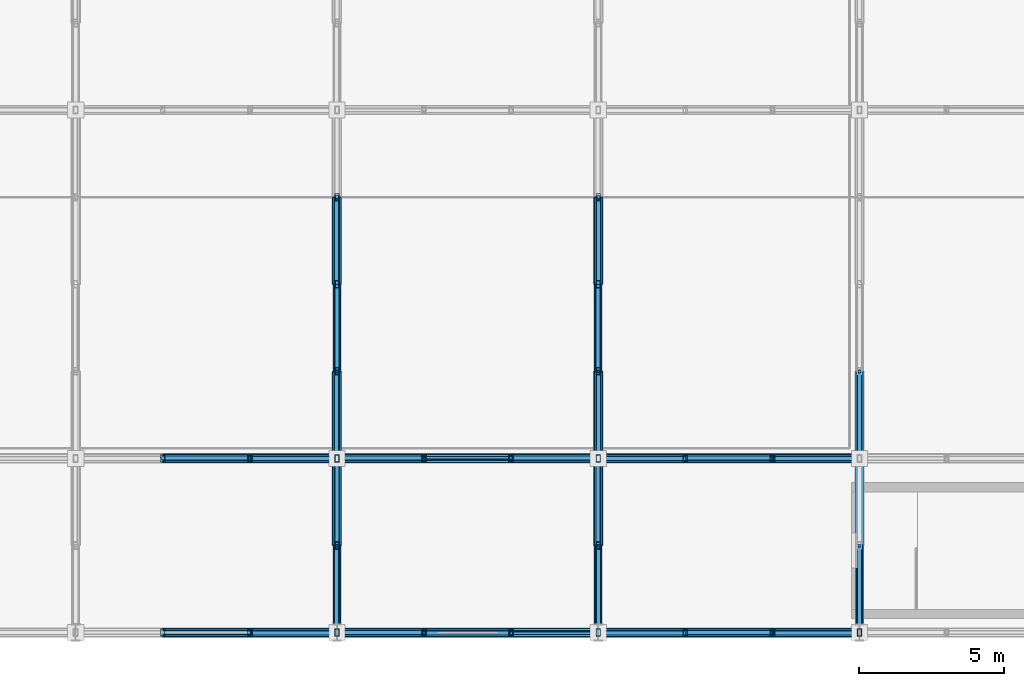
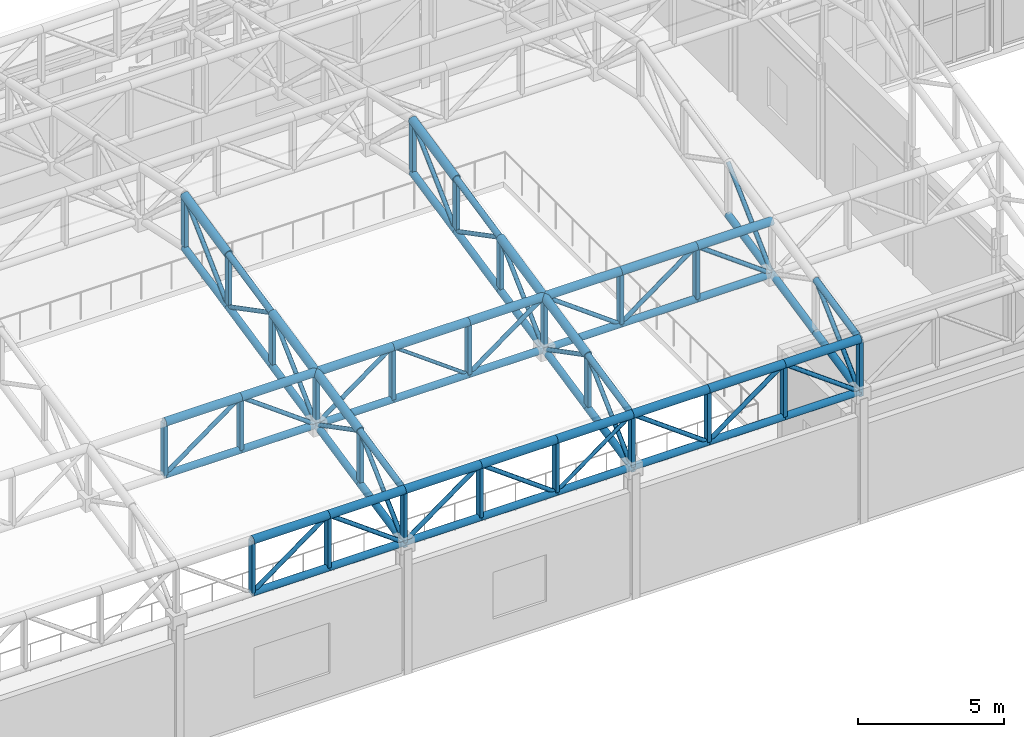
# One storey, part 19 of 112: 109 members.
"""IFC4 building model written with IfcOpenShell, lengths in metres."""

from ifc_helpers import new_model, si_unit, direction, frame, origin, origin_2d, place, context, subcontext, project, spatial, hollow_rectangle, hollow_circle, extrude, material, material_profile, profile_set, type_object, element, save


model = new_model("IFC4")

# Units and contexts
model_context = context("Model", 3, precision=1e-05, world=origin(), true_north=direction((0.0, 1.0)))
body_context = subcontext(model_context, "Body", "Model", "MODEL_VIEW")
ifc_project = project(units=[si_unit("LENGTHUNIT", "METRE"), si_unit("AREAUNIT", "SQUARE_METRE"), si_unit("VOLUMEUNIT", "CUBIC_METRE"), si_unit("PLANEANGLEUNIT", "RADIAN"), si_unit("MASSUNIT", "GRAM", prefix="KILO")], contexts=[model_context])

# Site, building, storey
site_placement = place(None, origin())
site = spatial("IfcSite", under=ifc_project, at=site_placement, CompositionType="ELEMENT")
building_placement = place(site_placement, origin())
building = spatial("IfcBuilding", under=site, at=building_placement, Name="Kaldris Quays Convention Centre", CompositionType="ELEMENT")
storey_placement = place(building_placement, frame((0.0, 0.0, 16.800048828125)))
storey = spatial("IfcBuildingStorey", under=building, at=storey_placement, Name="L03", CompositionType="ELEMENT", Elevation=16.800048828125)

# Members
ifc_material = material(Name="Steel S355J2H", Category="steel")
ifc_material_profile_1 = material_profile(ifc_material, hollow_circle(Radius=0.161865234375, WallThickness=0.01611328125, at=origin_2d()), Name="CHS 323.9x16")
ifc_profile_set_1 = profile_set([ifc_material_profile_1], Name="Steel S355J2H")
member_type_1 = type_object("IfcMemberType", Name="STRUCTURAL MEMBER SC03", PredefinedType="CHORD", material=ifc_profile_set_1)
for number, where, z_axis, x_axis, name in (
    (1, (50.0, 16.0, 7.530517578125), (1.0, 0.0, 0.0), (0.0, 1.0, 0.0), "SF-V3 Top Chord X 11"),
    (2, (53.0, 16.0, 7.530517578125), (1.0, 0.0, 0.0), (0.0, 1.0, 0.0), "SF-V3 Top Chord X 12"),
    (3, (56.0, 16.0, 7.530517578125), (1.0, 0.0, 0.0), (0.0, 1.0, 0.0), "SF-V3 Top Chord X 13"),
    (4, (59.0, 16.0, 7.530517578125), (1.0, 0.0, 0.0), (0.0, 1.0, 0.0), "SF-V3 Top Chord X 14"),
    (5, (62.0, 16.0, 7.530517578125), (1.0, 0.0, 0.0), (0.0, 1.0, 0.0), "SF-V3 Top Chord X 15"),
    (6, (65.0, 16.0, 7.530517578125), (1.0, 0.0, 0.0), (0.0, 1.0, 0.0), "SF-V3 Top Chord X 16"),
    (7, (68.0, 16.0, 7.530517578125), (1.0, 0.0, 0.0), (0.0, 1.0, 0.0), "SF-V3 Top Chord X 17"),
    (8, (71.0, 16.0, 7.530517578125), (1.0, 0.0, 0.0), (0.0, 1.0, 0.0), "SF-V3 Top Chord X 18"),
    (9, (50.0, 22.0, 8.810546875), (1.0, 0.0, 0.0), (0.0, 1.0, 0.0), "SF-V3 Top Chord X 32"),
    (10, (53.0, 22.0, 8.810546875), (1.0, 0.0, 0.0), (0.0, 1.0, 0.0), "SF-V3 Top Chord X 33"),
    (11, (56.0, 22.0, 8.810546875), (1.0, 0.0, 0.0), (0.0, 1.0, 0.0), "SF-V3 Top Chord X 34"),
    (12, (59.0, 22.0, 8.810546875), (1.0, 0.0, 0.0), (0.0, 1.0, 0.0), "SF-V3 Top Chord X 35"),
    (13, (62.0, 22.0, 8.810546875), (1.0, 0.0, 0.0), (0.0, 1.0, 0.0), "SF-V3 Top Chord X 36"),
    (14, (65.0, 22.0, 8.810546875), (1.0, 0.0, 0.0), (0.0, 1.0, 0.0), "SF-V3 Top Chord X 37"),
    (15, (68.0, 22.0, 8.810546875), (1.0, 0.0, 0.0), (0.0, 1.0, 0.0), "SF-V3 Top Chord X 38"),
    (16, (71.0, 22.0, 8.810546875), (1.0, 0.0, 0.0), (0.0, 1.0, 0.0), "SF-V3 Top Chord X 39"),
):
    element("IfcMember", number, at=place(storey_placement, frame(where, z_axis=z_axis, x_axis=x_axis)), inside=storey, type_object=member_type_1, Name=name, PredefinedType="CHORD", context=body_context, shape_type="SweptSolid", body=[
        extrude(hollow_circle(Radius=0.161865234375, WallThickness=0.01611328125, at=origin_2d()), origin(), (0.0, 0.0, 1.0), 3.0),
    ])
member_1_placement = place(storey_placement, frame((56.0, 19.0, 8.17041015625), z_axis=(0.0, 0.977983741211, 0.20868110103), x_axis=(-1.0, 0.0, 0.0)))
element("IfcMember", 17, at=member_1_placement, inside=storey, type_object=member_type_1, Name="SF-V3 Top Chord Y 147", PredefinedType="CHORD", context=body_context, shape_type="SweptSolid", body=[
    extrude(hollow_circle(Radius=0.161865234375, WallThickness=0.01611328125, at=origin_2d()), origin(), (0.0, 0.0, 1.0), 3.067626953125),
])
member_2_placement = place(storey_placement, frame((56.0, 22.0, 8.810546875), z_axis=(0.0, 0.977999981478, 0.208604976518), x_axis=(-1.0, 0.0, 0.0)))
element("IfcMember", 18, at=member_2_placement, inside=storey, type_object=member_type_1, Name="SF-V3 Top Chord Y 148", PredefinedType="CHORD", context=body_context, shape_type="SweptSolid", body=[
    extrude(hollow_circle(Radius=0.161865234375, WallThickness=0.01611328125, at=origin_2d()), origin(), (0.0, 0.0, 1.0), 3.0673828125),
])
for number, where, z_axis, x_axis, name in (
    (19, (56.0, 28.0, 10.09033203125), (0.0, 0.977983741211, 0.20868110103), (-1.0, 0.0, 0.0), "SF-V3 Top Chord Y 150"),
    (20, (65.0, 19.0, 8.17041015625), (0.0, 0.977983741211, 0.20868110103), (-1.0, 0.0, 0.0), "SF-V3 Top Chord Y 157"),
):
    element("IfcMember", number, at=place(storey_placement, frame(where, z_axis=z_axis, x_axis=x_axis)), inside=storey, type_object=member_type_1, Name=name, PredefinedType="CHORD", context=body_context, shape_type="SweptSolid", body=[
        extrude(hollow_circle(Radius=0.161865234375, WallThickness=0.01611328125, at=origin_2d()), origin(), (0.0, 0.0, 1.0), 3.067626953125),
    ])
member_3_placement = place(storey_placement, frame((65.0, 22.0, 8.810546875), z_axis=(0.0, 0.977999981478, 0.208604976518), x_axis=(-1.0, 0.0, 0.0)))
element("IfcMember", 21, at=member_3_placement, inside=storey, type_object=member_type_1, Name="SF-V3 Top Chord Y 158", PredefinedType="CHORD", context=body_context, shape_type="SweptSolid", body=[
    extrude(hollow_circle(Radius=0.161865234375, WallThickness=0.01611328125, at=origin_2d()), origin(), (0.0, 0.0, 1.0), 3.0673828125),
])
member_4_placement = place(storey_placement, frame((65.0, 28.0, 10.09033203125), z_axis=(0.0, 0.977983741211, 0.20868110103), x_axis=(-1.0, 0.0, 0.0)))
element("IfcMember", 22, at=member_4_placement, inside=storey, type_object=member_type_1, Name="SF-V3 Top Chord Y 160", PredefinedType="CHORD", context=body_context, shape_type="SweptSolid", body=[
    extrude(hollow_circle(Radius=0.161865234375, WallThickness=0.01611328125, at=origin_2d()), origin(), (0.0, 0.0, 1.0), 3.067626953125),
])
ifc_material_profile_2 = material_profile(ifc_material, hollow_circle(Radius=0.136474609375, WallThickness=0.012451171875, at=origin_2d()), Name="CHS 273x12.5")
ifc_profile_set_2 = profile_set([ifc_material_profile_2], Name="Steel S355J2H")
member_type_2 = type_object("IfcMemberType", Name="STRUCTURAL MEMBER SC04", PredefinedType="CHORD", material=ifc_profile_set_2)
for number, where, z_axis, x_axis, name in (
    (23, (50.0, 16.0, 5.33056640625), (1.0, 0.0, 0.0), (0.0, 1.0, 0.0), "SF-V3 Bottom Chord X 11"),
    (24, (53.0, 16.0, 5.33056640625), (1.0, 0.0, 0.0), (0.0, 1.0, 0.0), "SF-V3 Bottom Chord X 12"),
    (25, (56.0, 16.0, 5.33056640625), (1.0, 0.0, 0.0), (0.0, 1.0, 0.0), "SF-V3 Bottom Chord X 13"),
    (26, (59.0, 16.0, 5.33056640625), (1.0, 0.0, 0.0), (0.0, 1.0, 0.0), "SF-V3 Bottom Chord X 14"),
    (27, (62.0, 16.0, 5.33056640625), (1.0, 0.0, 0.0), (0.0, 1.0, 0.0), "SF-V3 Bottom Chord X 15"),
    (28, (65.0, 16.0, 5.33056640625), (1.0, 0.0, 0.0), (0.0, 1.0, 0.0), "SF-V3 Bottom Chord X 16"),
    (29, (68.0, 16.0, 5.33056640625), (1.0, 0.0, 0.0), (0.0, 1.0, 0.0), "SF-V3 Bottom Chord X 17"),
    (30, (71.0, 16.0, 5.33056640625), (1.0, 0.0, 0.0), (0.0, 1.0, 0.0), "SF-V3 Bottom Chord X 18"),
    (31, (50.0, 22.0, 6.6103515625), (1.0, 0.0, 0.0), (0.0, 1.0, 0.0), "SF-V3 Bottom Chord X 32"),
    (32, (53.0, 22.0, 6.6103515625), (1.0, 0.0, 0.0), (0.0, 1.0, 0.0), "SF-V3 Bottom Chord X 33"),
    (33, (56.0, 22.0, 6.6103515625), (1.0, 0.0, 0.0), (0.0, 1.0, 0.0), "SF-V3 Bottom Chord X 34"),
    (34, (59.0, 22.0, 6.6103515625), (1.0, 0.0, 0.0), (0.0, 1.0, 0.0), "SF-V3 Bottom Chord X 35"),
    (35, (62.0, 22.0, 6.6103515625), (1.0, 0.0, 0.0), (0.0, 1.0, 0.0), "SF-V3 Bottom Chord X 36"),
    (36, (65.0, 22.0, 6.6103515625), (1.0, 0.0, 0.0), (0.0, 1.0, 0.0), "SF-V3 Bottom Chord X 37"),
    (37, (68.0, 22.0, 6.6103515625), (1.0, 0.0, 0.0), (0.0, 1.0, 0.0), "SF-V3 Bottom Chord X 38"),
    (38, (71.0, 22.0, 6.6103515625), (1.0, 0.0, 0.0), (0.0, 1.0, 0.0), "SF-V3 Bottom Chord X 39"),
):
    element("IfcMember", number, at=place(storey_placement, frame(where, z_axis=z_axis, x_axis=x_axis)), inside=storey, type_object=member_type_2, Name=name, PredefinedType="CHORD", context=body_context, shape_type="SweptSolid", body=[
        extrude(hollow_circle(Radius=0.136474609375, WallThickness=0.012451171875, at=origin_2d()), origin(), (0.0, 0.0, 1.0), 3.0),
    ])
for number, where, z_axis, x_axis, name in (
    (39, (56.0, 16.0, 5.33056640625), (0.0, 0.977999981478, 0.208604976518), (-1.0, 0.0, 0.0), "SF-V3 Bottom Chord Y 146"),
    (40, (56.0, 19.0, 5.970458984375), (0.0, 0.977999981478, 0.208604976518), (-1.0, 0.0, 0.0), "SF-V3 Bottom Chord Y 147"),
):
    element("IfcMember", number, at=place(storey_placement, frame(where, z_axis=z_axis, x_axis=x_axis)), inside=storey, type_object=member_type_2, Name=name, PredefinedType="CHORD", context=body_context, shape_type="SweptSolid", body=[
        extrude(hollow_circle(Radius=0.136474609375, WallThickness=0.012451171875, at=origin_2d()), origin(), (0.0, 0.0, 1.0), 3.0673828125),
    ])
member_5_placement = place(storey_placement, frame((56.0, 22.0, 6.6103515625), z_axis=(0.0, 0.977983741211, 0.20868110103), x_axis=(-1.0, 0.0, 0.0)))
element("IfcMember", 41, at=member_5_placement, inside=storey, type_object=member_type_2, Name="SF-V3 Bottom Chord Y 148", PredefinedType="CHORD", context=body_context, shape_type="SweptSolid", body=[
    extrude(hollow_circle(Radius=0.136474609375, WallThickness=0.012451171875, at=origin_2d()), origin(), (0.0, 0.0, 1.0), 3.067626953125),
])
member_6_placement = place(storey_placement, frame((56.0, 25.0, 7.25048828125), z_axis=(0.0, 0.977999981478, 0.208604976518), x_axis=(-1.0, 0.0, 0.0)))
element("IfcMember", 42, at=member_6_placement, inside=storey, type_object=member_type_2, Name="SF-V3 Bottom Chord Y 149", PredefinedType="CHORD", context=body_context, shape_type="SweptSolid", body=[
    extrude(hollow_circle(Radius=0.136474609375, WallThickness=0.012451171875, at=origin_2d()), origin(), (0.0, 0.0, 1.0), 3.0673828125),
])
member_7_placement = place(storey_placement, frame((56.0, 28.0, 7.890380859375), z_axis=(0.0, 0.977983741211, 0.20868110103), x_axis=(-1.0, 0.0, 0.0)))
element("IfcMember", 43, at=member_7_placement, inside=storey, type_object=member_type_2, Name="SF-V3 Bottom Chord Y 150", PredefinedType="CHORD", context=body_context, shape_type="SweptSolid", body=[
    extrude(hollow_circle(Radius=0.136474609375, WallThickness=0.012451171875, at=origin_2d()), origin(), (0.0, 0.0, 1.0), 3.067626953125),
])
for number, where, z_axis, x_axis, name in (
    (44, (65.0, 16.0, 5.33056640625), (0.0, 0.977999981478, 0.208604976518), (-1.0, 0.0, 0.0), "SF-V3 Bottom Chord Y 156"),
    (45, (65.0, 19.0, 5.970458984375), (0.0, 0.977999981478, 0.208604976518), (-1.0, 0.0, 0.0), "SF-V3 Bottom Chord Y 157"),
):
    element("IfcMember", number, at=place(storey_placement, frame(where, z_axis=z_axis, x_axis=x_axis)), inside=storey, type_object=member_type_2, Name=name, PredefinedType="CHORD", context=body_context, shape_type="SweptSolid", body=[
        extrude(hollow_circle(Radius=0.136474609375, WallThickness=0.012451171875, at=origin_2d()), origin(), (0.0, 0.0, 1.0), 3.0673828125),
    ])
member_8_placement = place(storey_placement, frame((65.0, 22.0, 6.6103515625), z_axis=(0.0, 0.977983741211, 0.20868110103), x_axis=(-1.0, 0.0, 0.0)))
element("IfcMember", 46, at=member_8_placement, inside=storey, type_object=member_type_2, Name="SF-V3 Bottom Chord Y 158", PredefinedType="CHORD", context=body_context, shape_type="SweptSolid", body=[
    extrude(hollow_circle(Radius=0.136474609375, WallThickness=0.012451171875, at=origin_2d()), origin(), (0.0, 0.0, 1.0), 3.067626953125),
])
member_9_placement = place(storey_placement, frame((65.0, 25.0, 7.25048828125), z_axis=(0.0, 0.977999981478, 0.208604976518), x_axis=(-1.0, 0.0, 0.0)))
element("IfcMember", 47, at=member_9_placement, inside=storey, type_object=member_type_2, Name="SF-V3 Bottom Chord Y 159", PredefinedType="CHORD", context=body_context, shape_type="SweptSolid", body=[
    extrude(hollow_circle(Radius=0.136474609375, WallThickness=0.012451171875, at=origin_2d()), origin(), (0.0, 0.0, 1.0), 3.0673828125),
])
member_10_placement = place(storey_placement, frame((65.0, 28.0, 7.890380859375), z_axis=(0.0, 0.977983741211, 0.20868110103), x_axis=(-1.0, 0.0, 0.0)))
element("IfcMember", 48, at=member_10_placement, inside=storey, type_object=member_type_2, Name="SF-V3 Bottom Chord Y 160", PredefinedType="CHORD", context=body_context, shape_type="SweptSolid", body=[
    extrude(hollow_circle(Radius=0.136474609375, WallThickness=0.012451171875, at=origin_2d()), origin(), (0.0, 0.0, 1.0), 3.067626953125),
])
for number, where, z_axis, x_axis, name in (
    (49, (74.0, 16.0, 5.33056640625), (0.0, 0.977999981478, 0.208604976518), (-1.0, 0.0, 0.0), "SF-V3 Bottom Chord Y 166"),
    (50, (74.0, 19.0, 5.970458984375), (0.0, 0.977999981478, 0.208604976518), (-1.0, 0.0, 0.0), "SF-V3 Bottom Chord Y 167"),
):
    element("IfcMember", number, at=place(storey_placement, frame(where, z_axis=z_axis, x_axis=x_axis)), inside=storey, type_object=member_type_2, Name=name, PredefinedType="CHORD", context=body_context, shape_type="SweptSolid", body=[
        extrude(hollow_circle(Radius=0.136474609375, WallThickness=0.012451171875, at=origin_2d()), origin(), (0.0, 0.0, 1.0), 3.0673828125),
    ])
member_11_placement = place(storey_placement, frame((74.0, 22.0, 6.6103515625), z_axis=(0.0, 0.977983741211, 0.20868110103), x_axis=(-1.0, 0.0, 0.0)))
element("IfcMember", 51, at=member_11_placement, inside=storey, type_object=member_type_2, Name="SF-V3 Bottom Chord Y 168", PredefinedType="CHORD", context=body_context, shape_type="SweptSolid", body=[
    extrude(hollow_circle(Radius=0.136474609375, WallThickness=0.012451171875, at=origin_2d()), origin(), (0.0, 0.0, 1.0), 3.067626953125),
])
ifc_material_profile_3 = material_profile(ifc_material, hollow_circle(Radius=0.122314453125, WallThickness=0.010009765625, at=origin_2d()), Name="CHS 244.5x10")
ifc_profile_set_3 = profile_set([ifc_material_profile_3], Name="Steel S355J2H")
member_type_3 = type_object("IfcMemberType", Name="STRUCTURAL MEMBER SC05", PredefinedType="CHORD", material=ifc_profile_set_3)
for number, where, z_axis, x_axis, name in (
    (52, (56.0, 16.0, 7.530517578125), (0.0, 0.977999981478, 0.208604976518), (-1.0, 0.0, 0.0), "SF-V3 Top Chord Y 146"),
    (53, (56.0, 25.0, 9.450439453125), (0.0, 0.977999981478, 0.208604976518), (-1.0, 0.0, 0.0), "SF-V3 Top Chord Y 149"),
    (54, (65.0, 16.0, 7.530517578125), (0.0, 0.977999981478, 0.208604976518), (-1.0, 0.0, 0.0), "SF-V3 Top Chord Y 156"),
    (55, (65.0, 25.0, 9.450439453125), (0.0, 0.977999981478, 0.208604976518), (-1.0, 0.0, 0.0), "SF-V3 Top Chord Y 159"),
    (56, (74.0, 16.0, 7.530517578125), (0.0, 0.977999981478, 0.208604976518), (-1.0, 0.0, 0.0), "SF-V3 Top Chord Y 166"),
):
    element("IfcMember", number, at=place(storey_placement, frame(where, z_axis=z_axis, x_axis=x_axis)), inside=storey, type_object=member_type_3, Name=name, PredefinedType="CHORD", context=body_context, shape_type="SweptSolid", body=[
        extrude(hollow_circle(Radius=0.122314453125, WallThickness=0.010009765625, at=origin_2d()), origin(), (0.0, 0.0, 1.0), 3.0673828125),
    ])
ifc_material_profile_4 = material_profile(ifc_material, hollow_circle(Radius=0.084228515625, WallThickness=0.008056640625, at=origin_2d()), Name="CHS 168.3x8")
ifc_profile_set_4 = profile_set([ifc_material_profile_4], Name="Steel S355J2H")
member_type_4 = type_object("IfcMemberType", Name="STRUCTURAL MEMBER SWB2", PredefinedType="BRACE", material=ifc_profile_set_4)
for number, where, z_axis, x_axis, name in (
    (57, (50.0, 16.0, 5.33056640625), (0.80641125493, 0.0, 0.591355128432), (0.0, 1.0, 0.0), "SF-V3 Web Diagonal X 11"),
    (58, (56.0, 16.0, 5.33056640625), (-0.80641125493, 0.0, 0.591355128432), (0.0, -1.0, 0.0), "SF-V3 Web Diagonal X 12"),
    (59, (56.0, 16.0, 5.33056640625), (0.80641125493, 0.0, 0.591355128432), (0.0, 1.0, 0.0), "SF-V3 Web Diagonal X 13"),
    (60, (62.0, 16.0, 5.33056640625), (-0.80641125493, 0.0, 0.591355128432), (0.0, -1.0, 0.0), "SF-V3 Web Diagonal X 14"),
    (61, (68.0, 16.0, 5.33056640625), (-0.80641125493, 0.0, 0.591355128432), (0.0, -1.0, 0.0), "SF-V3 Web Diagonal X 16"),
    (62, (68.0, 16.0, 5.33056640625), (0.80641125493, 0.0, 0.591355128432), (0.0, 1.0, 0.0), "SF-V3 Web Diagonal X 17"),
    (63, (74.0, 16.0, 5.33056640625), (-0.80641125493, 0.0, 0.591355128432), (0.0, -1.0, 0.0), "SF-V3 Web Diagonal X 18"),
    (64, (50.0, 22.0, 6.6103515625), (0.806379959628, 0.0, 0.591397802423), (0.0, 1.0, 0.0), "SF-V3 Web Diagonal X 32"),
    (65, (56.0, 22.0, 6.6103515625), (-0.806379959628, 0.0, 0.591397802423), (0.0, -1.0, 0.0), "SF-V3 Web Diagonal X 33"),
    (66, (56.0, 22.0, 6.6103515625), (0.806379959628, 0.0, 0.591397802423), (0.0, 1.0, 0.0), "SF-V3 Web Diagonal X 34"),
    (67, (62.0, 22.0, 6.6103515625), (0.806379959628, 0.0, 0.591397802423), (0.0, 1.0, 0.0), "SF-V3 Web Diagonal X 36"),
    (68, (68.0, 22.0, 6.6103515625), (-0.806379959628, 0.0, 0.591397802423), (0.0, -1.0, 0.0), "SF-V3 Web Diagonal X 37"),
    (69, (68.0, 22.0, 6.6103515625), (0.806379959628, 0.0, 0.591397802423), (0.0, 1.0, 0.0), "SF-V3 Web Diagonal X 38"),
    (70, (74.0, 22.0, 6.6103515625), (-0.806379959628, 0.0, 0.591397802423), (0.0, -1.0, 0.0), "SF-V3 Web Diagonal X 39"),
):
    element("IfcMember", number, at=place(storey_placement, frame(where, z_axis=z_axis, x_axis=x_axis)), inside=storey, type_object=member_type_4, Name=name, PredefinedType="BRACE", context=body_context, shape_type="SweptSolid", body=[
        extrude(hollow_circle(Radius=0.084228515625, WallThickness=0.008056640625, at=origin_2d()), origin(), (0.0, 0.0, 1.0), 3.72021484375),
    ])
member_12_placement = place(storey_placement, frame((56.0, 16.0, 5.33056640625), z_axis=(0.0, 0.72622595523, 0.687456080016), x_axis=(-1.0, 0.0, 0.0)))
element("IfcMember", 71, at=member_12_placement, inside=storey, type_object=member_type_4, Name="SF-V3 Web Diagonal Y 146", PredefinedType="BRACE", context=body_context, shape_type="SweptSolid", body=[
    extrude(hollow_circle(Radius=0.084228515625, WallThickness=0.008056640625, at=origin_2d()), origin(), (0.0, 0.0, 1.0), 4.130859375),
])
member_13_placement = place(storey_placement, frame((56.0, 22.0, 6.6103515625), z_axis=(0.0, -0.887209708306, 0.461366376634), x_axis=(1.0, 0.0, 0.0)))
element("IfcMember", 72, at=member_13_placement, inside=storey, type_object=member_type_4, Name="SF-V3 Web Diagonal Y 147", PredefinedType="BRACE", context=body_context, shape_type="SweptSolid", body=[
    extrude(hollow_circle(Radius=0.084228515625, WallThickness=0.008056640625, at=origin_2d()), origin(), (0.0, 0.0, 1.0), 3.38134765625),
])
member_14_placement = place(storey_placement, frame((56.0, 22.0, 6.6103515625), z_axis=(0.0, 0.726196449967, 0.687487247922), x_axis=(-1.0, 0.0, 0.0)))
element("IfcMember", 73, at=member_14_placement, inside=storey, type_object=member_type_4, Name="SF-V3 Web Diagonal Y 148", PredefinedType="BRACE", context=body_context, shape_type="SweptSolid", body=[
    extrude(hollow_circle(Radius=0.084228515625, WallThickness=0.008056640625, at=origin_2d()), origin(), (0.0, 0.0, 1.0), 4.131103515625),
])
member_15_placement = place(storey_placement, frame((56.0, 28.0, 7.890380859375), z_axis=(0.0, -0.887209708306, 0.461366376634), x_axis=(1.0, 0.0, 0.0)))
element("IfcMember", 74, at=member_15_placement, inside=storey, type_object=member_type_4, Name="SF-V3 Web Diagonal Y 149", PredefinedType="BRACE", context=body_context, shape_type="SweptSolid", body=[
    extrude(hollow_circle(Radius=0.084228515625, WallThickness=0.008056640625, at=origin_2d()), origin(), (0.0, 0.0, 1.0), 3.38134765625),
])
member_16_placement = place(storey_placement, frame((56.0, 28.0, 7.890380859375), z_axis=(0.0, 0.726196449967, 0.687487247922), x_axis=(-1.0, 0.0, 0.0)))
element("IfcMember", 75, at=member_16_placement, inside=storey, type_object=member_type_4, Name="SF-V3 Web Diagonal Y 150", PredefinedType="BRACE", context=body_context, shape_type="SweptSolid", body=[
    extrude(hollow_circle(Radius=0.084228515625, WallThickness=0.008056640625, at=origin_2d()), origin(), (0.0, 0.0, 1.0), 4.131103515625),
])
member_17_placement = place(storey_placement, frame((65.0, 16.0, 5.33056640625), z_axis=(0.0, 0.72622595523, 0.687456080016), x_axis=(-1.0, 0.0, 0.0)))
element("IfcMember", 76, at=member_17_placement, inside=storey, type_object=member_type_4, Name="SF-V3 Web Diagonal Y 156", PredefinedType="BRACE", context=body_context, shape_type="SweptSolid", body=[
    extrude(hollow_circle(Radius=0.084228515625, WallThickness=0.008056640625, at=origin_2d()), origin(), (0.0, 0.0, 1.0), 4.130859375),
])
member_18_placement = place(storey_placement, frame((65.0, 22.0, 6.6103515625), z_axis=(0.0, -0.887209708306, 0.461366376634), x_axis=(1.0, 0.0, 0.0)))
element("IfcMember", 77, at=member_18_placement, inside=storey, type_object=member_type_4, Name="SF-V3 Web Diagonal Y 157", PredefinedType="BRACE", context=body_context, shape_type="SweptSolid", body=[
    extrude(hollow_circle(Radius=0.084228515625, WallThickness=0.008056640625, at=origin_2d()), origin(), (0.0, 0.0, 1.0), 3.38134765625),
])
member_19_placement = place(storey_placement, frame((65.0, 22.0, 6.6103515625), z_axis=(0.0, 0.726196449967, 0.687487247922), x_axis=(-1.0, 0.0, 0.0)))
element("IfcMember", 78, at=member_19_placement, inside=storey, type_object=member_type_4, Name="SF-V3 Web Diagonal Y 158", PredefinedType="BRACE", context=body_context, shape_type="SweptSolid", body=[
    extrude(hollow_circle(Radius=0.084228515625, WallThickness=0.008056640625, at=origin_2d()), origin(), (0.0, 0.0, 1.0), 4.131103515625),
])
member_20_placement = place(storey_placement, frame((65.0, 28.0, 7.890380859375), z_axis=(0.0, -0.887209708306, 0.461366376634), x_axis=(1.0, 0.0, 0.0)))
element("IfcMember", 79, at=member_20_placement, inside=storey, type_object=member_type_4, Name="SF-V3 Web Diagonal Y 159", PredefinedType="BRACE", context=body_context, shape_type="SweptSolid", body=[
    extrude(hollow_circle(Radius=0.084228515625, WallThickness=0.008056640625, at=origin_2d()), origin(), (0.0, 0.0, 1.0), 3.38134765625),
])
member_21_placement = place(storey_placement, frame((65.0, 28.0, 7.890380859375), z_axis=(0.0, 0.726196449967, 0.687487247922), x_axis=(-1.0, 0.0, 0.0)))
element("IfcMember", 80, at=member_21_placement, inside=storey, type_object=member_type_4, Name="SF-V3 Web Diagonal Y 160", PredefinedType="BRACE", context=body_context, shape_type="SweptSolid", body=[
    extrude(hollow_circle(Radius=0.084228515625, WallThickness=0.008056640625, at=origin_2d()), origin(), (0.0, 0.0, 1.0), 4.131103515625),
])
member_22_placement = place(storey_placement, frame((74.0, 16.0, 5.33056640625), z_axis=(0.0, 0.72622595523, 0.687456080016), x_axis=(-1.0, 0.0, 0.0)))
element("IfcMember", 81, at=member_22_placement, inside=storey, type_object=member_type_4, Name="SF-V3 Web Diagonal Y 166", PredefinedType="BRACE", context=body_context, shape_type="SweptSolid", body=[
    extrude(hollow_circle(Radius=0.084228515625, WallThickness=0.008056640625, at=origin_2d()), origin(), (0.0, 0.0, 1.0), 4.130859375),
])
member_23_placement = place(storey_placement, frame((74.0, 22.0, 6.6103515625), z_axis=(0.0, 0.726196449967, 0.687487247922), x_axis=(-1.0, 0.0, 0.0)))
element("IfcMember", 82, at=member_23_placement, inside=storey, type_object=member_type_4, Name="SF-V3 Web Diagonal Y 168", PredefinedType="BRACE", context=body_context, shape_type="SweptSolid", body=[
    extrude(hollow_circle(Radius=0.084228515625, WallThickness=0.008056640625, at=origin_2d()), origin(), (0.0, 0.0, 1.0), 4.131103515625),
])
ifc_material_profile_5 = material_profile(ifc_material, hollow_circle(Radius=0.06982421875, WallThickness=0.00634765625, at=origin_2d()), Name="CHS 139.7x6.3")
ifc_profile_set_5 = profile_set([ifc_material_profile_5], Name="Steel S355J2H")
member_type_5 = type_object("IfcMemberType", Name="STRUCTURAL MEMBER SWB4", PredefinedType="BRACE", material=ifc_profile_set_5)
for number, where, z_axis, x_axis, name in (
    (83, (62.0, 16.0, 5.33056640625), (0.80641125493, 0.0, 0.591355128432), (0.0, 1.0, 0.0), "SF-V3 Web Diagonal X 15"),
    (84, (62.0, 22.0, 6.6103515625), (-0.806379959628, 0.0, 0.591397802423), (0.0, -1.0, 0.0), "SF-V3 Web Diagonal X 35"),
):
    element("IfcMember", number, at=place(storey_placement, frame(where, z_axis=z_axis, x_axis=x_axis)), inside=storey, type_object=member_type_5, Name=name, PredefinedType="BRACE", context=body_context, shape_type="SweptSolid", body=[
        extrude(hollow_circle(Radius=0.06982421875, WallThickness=0.00634765625, at=origin_2d()), origin(), (0.0, 0.0, 1.0), 3.72021484375),
    ])
ifc_material_profile_6 = material_profile(ifc_material, hollow_rectangle(XDim=0.14990234375, YDim=0.25, WallThickness=0.010009765625, at=origin_2d()), Name="RHS 250x150x10")
ifc_profile_set_6 = profile_set([ifc_material_profile_6], Name="Steel S355J2H")
member_type_6 = type_object("IfcMemberType", Name="STRUCTURAL MEMBER TTV1", PredefinedType="POST", material=ifc_profile_set_6)
member_24_placement = place(storey_placement, frame((50.0, 16.0, 5.33056640625), z_axis=(0.0, 0.0, 1.0), x_axis=(1.0, 0.0, 0.0)))
element("IfcMember", 85, at=member_24_placement, inside=storey, type_object=member_type_6, Name="SF-V3 Space-Frame Post 75", PredefinedType="POST", context=body_context, shape_type="SweptSolid", body=[
    extrude(hollow_rectangle(XDim=0.14990234375, YDim=0.25, WallThickness=0.010009765625, at=origin_2d()), origin(), (0.0, 0.0, 1.0), 2.199951171875),
])
member_25_placement = place(storey_placement, frame((50.0, 22.0, 6.6103515625), z_axis=(0.0, 0.0, 1.0), x_axis=(1.0, 0.0, 0.0)))
element("IfcMember", 86, at=member_25_placement, inside=storey, type_object=member_type_6, Name="SF-V3 Space-Frame Post 76", PredefinedType="POST", context=body_context, shape_type="SweptSolid", body=[
    extrude(hollow_rectangle(XDim=0.14990234375, YDim=0.25, WallThickness=0.010009765625, at=origin_2d()), origin(), (0.0, 0.0, 1.0), 2.2001953125),
])
member_26_placement = place(storey_placement, frame((53.0, 16.0, 5.33056640625), z_axis=(0.0, 0.0, 1.0), x_axis=(1.0, 0.0, 0.0)))
element("IfcMember", 87, at=member_26_placement, inside=storey, type_object=member_type_6, Name="SF-V3 Space-Frame Post 80", PredefinedType="POST", context=body_context, shape_type="SweptSolid", body=[
    extrude(hollow_rectangle(XDim=0.14990234375, YDim=0.25, WallThickness=0.010009765625, at=origin_2d()), origin(), (0.0, 0.0, 1.0), 2.199951171875),
])
member_27_placement = place(storey_placement, frame((53.0, 22.0, 6.6103515625), z_axis=(0.0, 0.0, 1.0), x_axis=(1.0, 0.0, 0.0)))
element("IfcMember", 88, at=member_27_placement, inside=storey, type_object=member_type_6, Name="SF-V3 Space-Frame Post 81", PredefinedType="POST", context=body_context, shape_type="SweptSolid", body=[
    extrude(hollow_rectangle(XDim=0.14990234375, YDim=0.25, WallThickness=0.010009765625, at=origin_2d()), origin(), (0.0, 0.0, 1.0), 2.2001953125),
])
member_28_placement = place(storey_placement, frame((56.0, 16.0, 5.19384765625), z_axis=(0.0, 0.0, 1.0), x_axis=(1.0, 0.0, 0.0)))
element("IfcMember", 89, at=member_28_placement, inside=storey, type_object=member_type_6, Name="SF-V3 Space-Frame Post 85", PredefinedType="POST", context=body_context, shape_type="SweptSolid", body=[
    extrude(hollow_rectangle(XDim=0.14990234375, YDim=0.25, WallThickness=0.010009765625, at=origin_2d()), origin(), (0.0, 0.0, 1.0), 2.336669921875),
])
member_29_placement = place(storey_placement, frame((56.0, 19.0, 5.970458984375), z_axis=(0.0, 0.0, 1.0), x_axis=(1.0, 0.0, 0.0)))
element("IfcMember", 90, at=member_29_placement, inside=storey, type_object=member_type_6, Name="SF-V3 Space-Frame Post 86", PredefinedType="POST", context=body_context, shape_type="SweptSolid", body=[
    extrude(hollow_rectangle(XDim=0.14990234375, YDim=0.25, WallThickness=0.010009765625, at=origin_2d()), origin(), (0.0, 0.0, 1.0), 2.199951171875),
])
member_30_placement = place(storey_placement, frame((56.0, 22.0, 6.6103515625), z_axis=(0.0, 0.0, 1.0), x_axis=(1.0, 0.0, 0.0)))
element("IfcMember", 91, at=member_30_placement, inside=storey, type_object=member_type_6, Name="SF-V3 Space-Frame Post 87", PredefinedType="POST", context=body_context, shape_type="SweptSolid", body=[
    extrude(hollow_rectangle(XDim=0.14990234375, YDim=0.25, WallThickness=0.010009765625, at=origin_2d()), origin(), (0.0, 0.0, 1.0), 2.2001953125),
])
for number, where, z_axis, x_axis, name in (
    (92, (56.0, 25.0, 7.25048828125), (0.0, 0.0, 1.0), (1.0, 0.0, 0.0), "SF-V3 Space-Frame Post 88"),
    (93, (56.0, 28.0, 7.890380859375), (0.0, 0.0, 1.0), (1.0, 0.0, 0.0), "SF-V3 Space-Frame Post 89"),
    (94, (56.0, 31.0, 8.530517578125), (0.0, 0.0, 1.0), (1.0, 0.0, 0.0), "SF-V3 Space-Frame Post 90"),
    (95, (59.0, 16.0, 5.33056640625), (0.0, 0.0, 1.0), (1.0, 0.0, 0.0), "SF-V3 Space-Frame Post 96"),
):
    element("IfcMember", number, at=place(storey_placement, frame(where, z_axis=z_axis, x_axis=x_axis)), inside=storey, type_object=member_type_6, Name=name, PredefinedType="POST", context=body_context, shape_type="SweptSolid", body=[
        extrude(hollow_rectangle(XDim=0.14990234375, YDim=0.25, WallThickness=0.010009765625, at=origin_2d()), origin(), (0.0, 0.0, 1.0), 2.199951171875),
    ])
member_31_placement = place(storey_placement, frame((59.0, 22.0, 6.6103515625), z_axis=(0.0, 0.0, 1.0), x_axis=(1.0, 0.0, 0.0)))
element("IfcMember", 96, at=member_31_placement, inside=storey, type_object=member_type_6, Name="SF-V3 Space-Frame Post 97", PredefinedType="POST", context=body_context, shape_type="SweptSolid", body=[
    extrude(hollow_rectangle(XDim=0.14990234375, YDim=0.25, WallThickness=0.010009765625, at=origin_2d()), origin(), (0.0, 0.0, 1.0), 2.2001953125),
])
member_32_placement = place(storey_placement, frame((62.0, 16.0, 5.33056640625), z_axis=(0.0, 0.0, 1.0), x_axis=(1.0, 0.0, 0.0)))
element("IfcMember", 97, at=member_32_placement, inside=storey, type_object=member_type_6, Name="SF-V3 Space-Frame Post 101", PredefinedType="POST", context=body_context, shape_type="SweptSolid", body=[
    extrude(hollow_rectangle(XDim=0.14990234375, YDim=0.25, WallThickness=0.010009765625, at=origin_2d()), origin(), (0.0, 0.0, 1.0), 2.199951171875),
])
member_33_placement = place(storey_placement, frame((62.0, 22.0, 6.6103515625), z_axis=(0.0, 0.0, 1.0), x_axis=(1.0, 0.0, 0.0)))
element("IfcMember", 98, at=member_33_placement, inside=storey, type_object=member_type_6, Name="SF-V3 Space-Frame Post 102", PredefinedType="POST", context=body_context, shape_type="SweptSolid", body=[
    extrude(hollow_rectangle(XDim=0.14990234375, YDim=0.25, WallThickness=0.010009765625, at=origin_2d()), origin(), (0.0, 0.0, 1.0), 2.2001953125),
])
member_34_placement = place(storey_placement, frame((65.0, 16.0, 5.19384765625), z_axis=(0.0, 0.0, 1.0), x_axis=(1.0, 0.0, 0.0)))
element("IfcMember", 99, at=member_34_placement, inside=storey, type_object=member_type_6, Name="SF-V3 Space-Frame Post 106", PredefinedType="POST", context=body_context, shape_type="SweptSolid", body=[
    extrude(hollow_rectangle(XDim=0.14990234375, YDim=0.25, WallThickness=0.010009765625, at=origin_2d()), origin(), (0.0, 0.0, 1.0), 2.336669921875),
])
member_35_placement = place(storey_placement, frame((65.0, 19.0, 5.970458984375), z_axis=(0.0, 0.0, 1.0), x_axis=(1.0, 0.0, 0.0)))
element("IfcMember", 100, at=member_35_placement, inside=storey, type_object=member_type_6, Name="SF-V3 Space-Frame Post 107", PredefinedType="POST", context=body_context, shape_type="SweptSolid", body=[
    extrude(hollow_rectangle(XDim=0.14990234375, YDim=0.25, WallThickness=0.010009765625, at=origin_2d()), origin(), (0.0, 0.0, 1.0), 2.199951171875),
])
member_36_placement = place(storey_placement, frame((65.0, 22.0, 6.6103515625), z_axis=(0.0, 0.0, 1.0), x_axis=(1.0, 0.0, 0.0)))
element("IfcMember", 101, at=member_36_placement, inside=storey, type_object=member_type_6, Name="SF-V3 Space-Frame Post 108", PredefinedType="POST", context=body_context, shape_type="SweptSolid", body=[
    extrude(hollow_rectangle(XDim=0.14990234375, YDim=0.25, WallThickness=0.010009765625, at=origin_2d()), origin(), (0.0, 0.0, 1.0), 2.2001953125),
])
for number, where, z_axis, x_axis, name in (
    (102, (65.0, 25.0, 7.25048828125), (0.0, 0.0, 1.0), (1.0, 0.0, 0.0), "SF-V3 Space-Frame Post 109"),
    (103, (65.0, 28.0, 7.890380859375), (0.0, 0.0, 1.0), (1.0, 0.0, 0.0), "SF-V3 Space-Frame Post 110"),
    (104, (65.0, 31.0, 8.530517578125), (0.0, 0.0, 1.0), (1.0, 0.0, 0.0), "SF-V3 Space-Frame Post 111"),
    (105, (68.0, 16.0, 5.33056640625), (0.0, 0.0, 1.0), (1.0, 0.0, 0.0), "SF-V3 Space-Frame Post 117"),
):
    element("IfcMember", number, at=place(storey_placement, frame(where, z_axis=z_axis, x_axis=x_axis)), inside=storey, type_object=member_type_6, Name=name, PredefinedType="POST", context=body_context, shape_type="SweptSolid", body=[
        extrude(hollow_rectangle(XDim=0.14990234375, YDim=0.25, WallThickness=0.010009765625, at=origin_2d()), origin(), (0.0, 0.0, 1.0), 2.199951171875),
    ])
member_37_placement = place(storey_placement, frame((68.0, 22.0, 6.6103515625), z_axis=(0.0, 0.0, 1.0), x_axis=(1.0, 0.0, 0.0)))
element("IfcMember", 106, at=member_37_placement, inside=storey, type_object=member_type_6, Name="SF-V3 Space-Frame Post 118", PredefinedType="POST", context=body_context, shape_type="SweptSolid", body=[
    extrude(hollow_rectangle(XDim=0.14990234375, YDim=0.25, WallThickness=0.010009765625, at=origin_2d()), origin(), (0.0, 0.0, 1.0), 2.2001953125),
])
member_38_placement = place(storey_placement, frame((71.0, 16.0, 5.33056640625), z_axis=(0.0, 0.0, 1.0), x_axis=(1.0, 0.0, 0.0)))
element("IfcMember", 107, at=member_38_placement, inside=storey, type_object=member_type_6, Name="SF-V3 Space-Frame Post 122", PredefinedType="POST", context=body_context, shape_type="SweptSolid", body=[
    extrude(hollow_rectangle(XDim=0.14990234375, YDim=0.25, WallThickness=0.010009765625, at=origin_2d()), origin(), (0.0, 0.0, 1.0), 2.199951171875),
])
member_39_placement = place(storey_placement, frame((71.0, 22.0, 6.6103515625), z_axis=(0.0, 0.0, 1.0), x_axis=(1.0, 0.0, 0.0)))
element("IfcMember", 108, at=member_39_placement, inside=storey, type_object=member_type_6, Name="SF-V3 Space-Frame Post 123", PredefinedType="POST", context=body_context, shape_type="SweptSolid", body=[
    extrude(hollow_rectangle(XDim=0.14990234375, YDim=0.25, WallThickness=0.010009765625, at=origin_2d()), origin(), (0.0, 0.0, 1.0), 2.2001953125),
])
member_40_placement = place(storey_placement, frame((74.0, 16.0, 5.19384765625), z_axis=(0.0, 0.0, 1.0), x_axis=(1.0, 0.0, 0.0)))
element("IfcMember", 109, at=member_40_placement, inside=storey, type_object=member_type_6, Name="SF-V3 Space-Frame Post 127", PredefinedType="POST", context=body_context, shape_type="SweptSolid", body=[
    extrude(hollow_rectangle(XDim=0.14990234375, YDim=0.25, WallThickness=0.010009765625, at=origin_2d()), origin(), (0.0, 0.0, 1.0), 2.336669921875),
])

save(model, "model.ifc")
